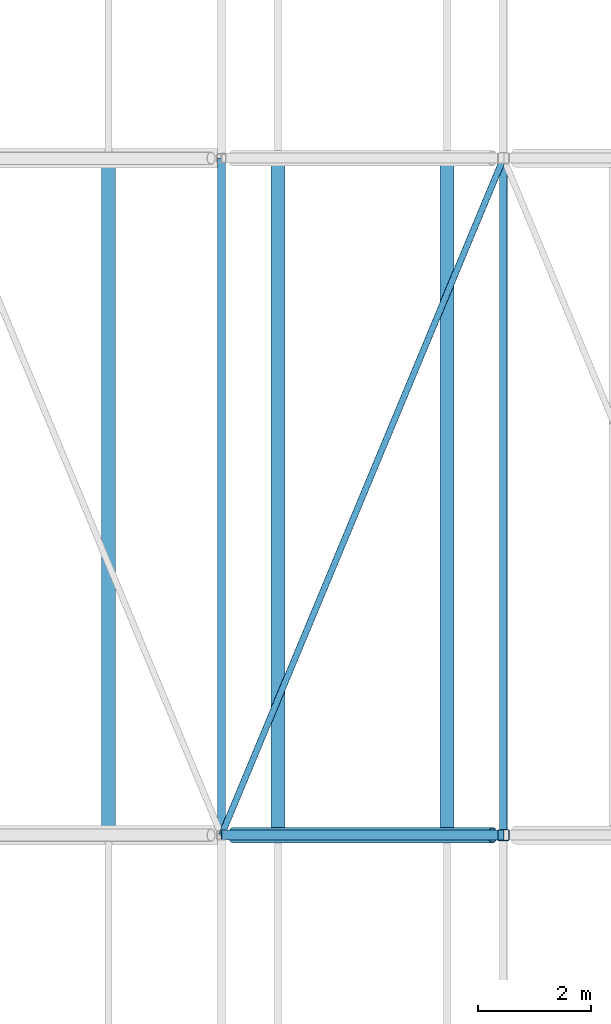
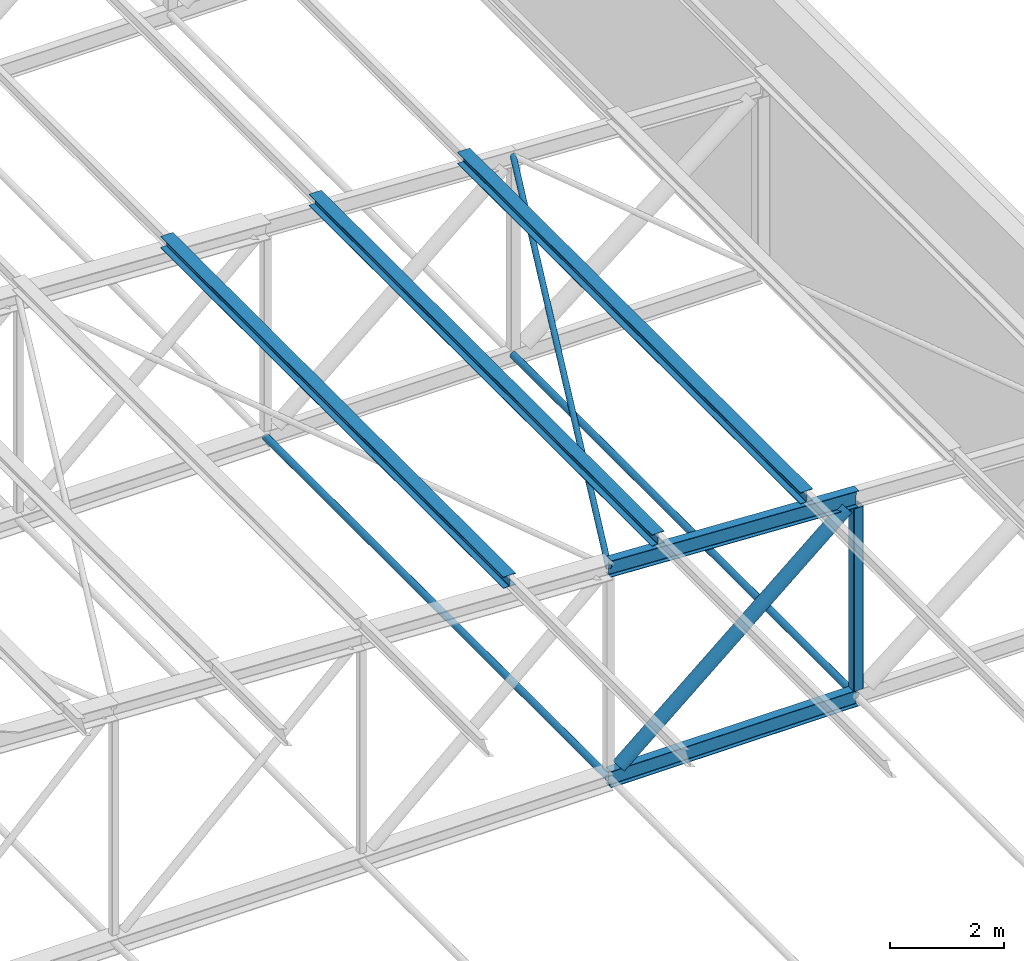
# One storey, part 47 of 156: 10 members.
"""IFC4 building model written with IfcOpenShell, lengths in metres."""

from ifc_helpers import new_model, si_unit, direction, frame, origin, origin_2d, place, context, subcontext, project, spatial, hollow_rectangle, hollow_circle, i_section, extrude, material, material_profile, profile_set, type_object, element, save


model = new_model("IFC4")

# Units and contexts
model_context = context("Model", 3, precision=1e-05, world=origin(), true_north=direction((0.0, 1.0)))
body_context = subcontext(model_context, "Body", "Model", "MODEL_VIEW")
ifc_project = project(units=[si_unit("LENGTHUNIT", "METRE"), si_unit("AREAUNIT", "SQUARE_METRE"), si_unit("VOLUMEUNIT", "CUBIC_METRE"), si_unit("PLANEANGLEUNIT", "RADIAN"), si_unit("MASSUNIT", "GRAM", prefix="KILO")], contexts=[model_context])

# Site, building, storey
site_placement = place(None, origin())
site = spatial("IfcSite", under=ifc_project, at=site_placement, CompositionType="ELEMENT")
building_placement = place(site_placement, origin())
building = spatial("IfcBuilding", under=site, at=building_placement, Name="Lilac Gate Convention Centre", CompositionType="ELEMENT")
storey_placement = place(building_placement, frame((0.0, 0.0, 17.0)))
storey = spatial("IfcBuildingStorey", under=building, at=storey_placement, Name="L03", CompositionType="ELEMENT", Elevation=17.0)

# Members
ifc_material = material(Name="Steel Q355B", Category="steel")
ifc_material_profile_1 = material_profile(ifc_material, hollow_circle(Radius=0.06982421875, WallThickness=0.0048828125, at=origin_2d()), Name="CHS139.7x5")
ifc_profile_set_1 = profile_set([ifc_material_profile_1], Name="Steel Q355B")
member_type_1 = type_object("IfcMemberType", Name="Bottom chord tie CHS139.7x5", PredefinedType="STRUT", material=ifc_profile_set_1)
for number, where, z_axis, x_axis, name in (
    (1, (80.0, 78.00341796875, 0.0), (0.0, 1.0, 0.0), (-1.0, 0.0, 0.0), "ST1 tie bay 5 node 11"),
    (2, (85.0, 78.00341796875, 0.0), (0.0, 1.0, 0.0), (-1.0, 0.0, 0.0), "ST1 tie bay 5 node 12"),
):
    element("IfcMember", number, at=place(storey_placement, frame(where, z_axis=z_axis, x_axis=x_axis)), inside=storey, type_object=member_type_1, Name=name, PredefinedType="STRUT", context=body_context, shape_type="SweptSolid", body=[
        extrude(hollow_circle(Radius=0.06982421875, WallThickness=0.0048828125, at=origin_2d()), origin(), (0.0, 0.0, 1.0), 11.9931640625),
    ])
ifc_material_profile_2 = material_profile(ifc_material, hollow_circle(Radius=0.05712890625, WallThickness=0.0048828125, at=origin_2d()), Name="CHS114.3x5")
ifc_profile_set_2 = profile_set([ifc_material_profile_2], Name="Steel Q355B")
member_type_2 = type_object("IfcMemberType", Name="Roof plane bracing CHS114.3x5", PredefinedType="BRACE", material=ifc_profile_set_2)
member_1_placement = place(storey_placement, frame((80.00146484375, 78.00341796875, 4.5), z_axis=(0.384538867181, 0.922908311091, -0.019238215751), x_axis=(-0.923079146825, 0.384610047578, 0.0)))
element("IfcMember", 3, at=member_1_placement, inside=storey, type_object=member_type_2, Name="BR1 plan bracing bay 5 panel 11", PredefinedType="BRACE", context=body_context, shape_type="SweptSolid", body=[
    extrude(hollow_circle(Radius=0.05712890625, WallThickness=0.0048828125, at=origin_2d()), origin(), (0.0, 0.0, 1.0), 12.994873046875),
])
ifc_material_profile_3 = material_profile(ifc_material, i_section(OverallWidth=0.25, OverallDepth=0.25, WebThickness=0.009033203125, FlangeThickness=0.013916015625, FilletRadius=0.012939453125, at=origin_2d()), Name="HW250x250x9x14")
ifc_profile_set_3 = profile_set([ifc_material_profile_3], Name="Steel Q355B")
member_type_3 = type_object("IfcMemberType", Name="Roof purlin HW250x250x9x14", PredefinedType="PURLIN", material=ifc_profile_set_3)
for number, where, z_axis, x_axis, name in (
    (4, (78.0, 78.0, 4.900146484375), (0.0, 1.0, 0.0), (-1.0, 0.0, 0.0), "PU1 purlin bay 5 line 17"),
    (5, (81.0, 78.0, 4.750244140625), (0.0, 1.0, 0.0), (-1.0, 0.0, 0.0), "PU1 purlin bay 5 line 18"),
    (6, (84.0, 78.0, 4.60009765625), (0.0, 1.0, 0.0), (-1.0, 0.0, 0.0), "PU1 purlin bay 5 line 19"),
):
    element("IfcMember", number, at=place(storey_placement, frame(where, z_axis=z_axis, x_axis=x_axis)), inside=storey, type_object=member_type_3, Name=name, PredefinedType="PURLIN", context=body_context, shape_type="SweptSolid", body=[
        extrude(i_section(OverallWidth=0.25, OverallDepth=0.25, WebThickness=0.009033203125, FlangeThickness=0.013916015625, FilletRadius=0.012939453125, at=origin_2d()), origin(), (0.0, 0.0, 1.0), 12.0),
    ])
ifc_material_profile_4 = material_profile(ifc_material, i_section(OverallWidth=0.175048828125, OverallDepth=0.35009765625, WebThickness=0.007080078125, FlangeThickness=0.010986328125, FilletRadius=0.012939453125, at=origin_2d()), Name="HN350x175x7x11")
ifc_profile_set_4 = profile_set([ifc_material_profile_4], Name="Steel Q355B")
member_type_4 = type_object("IfcMemberType", Name="Truss bottom chord HN350x175x7x11", PredefinedType="CHORD", material=ifc_profile_set_4)
member_2_placement = place(storey_placement, frame((80.0, 78.0, 0.0), z_axis=(1.0, 0.0, 0.0), x_axis=(0.0, 1.0, 0.0)))
element("IfcMember", 7, at=member_2_placement, inside=storey, type_object=member_type_4, Name="TB1 truss 5 bottom chord 11", PredefinedType="CHORD", context=body_context, shape_type="SweptSolid", body=[
    extrude(i_section(OverallWidth=0.175048828125, OverallDepth=0.35009765625, WebThickness=0.007080078125, FlangeThickness=0.010986328125, FilletRadius=0.012939453125, at=origin_2d()), origin(), (0.0, 0.0, 1.0), 5.0),
])
ifc_material_profile_5 = material_profile(ifc_material, hollow_circle(Radius=0.136474609375, WallThickness=0.010009765625, at=origin_2d()), Name="CHS273x10")
ifc_profile_set_5 = profile_set([ifc_material_profile_5], Name="Steel Q355B")
member_type_5 = type_object("IfcMemberType", Name="Truss diagonal CHS273x10", PredefinedType="BRACE", material=ifc_profile_set_5)
member_3_placement = place(storey_placement, frame((84.806884765625, 78.0, 4.085693359375), z_axis=(-0.761961263863, 0.0, -0.647622600263), x_axis=(0.0, -1.0, 0.0)))
element("IfcMember", 8, at=member_3_placement, inside=storey, type_object=member_type_5, Name="TW2 truss 5 diagonal 11", PredefinedType="BRACE", context=body_context, shape_type="SweptSolid", body=[
    extrude(hollow_circle(Radius=0.136474609375, WallThickness=0.010009765625, at=origin_2d()), origin(), (0.0, 0.0, 1.0), 6.03857421875),
])
ifc_material_profile_6 = material_profile(ifc_material, i_section(OverallWidth=0.175048828125, OverallDepth=0.35009765625, WebThickness=0.007080078125, FlangeThickness=0.010986328125, FilletRadius=0.012939453125, at=origin_2d()), Name="HN350x175x7x11")
ifc_profile_set_6 = profile_set([ifc_material_profile_6], Name="Steel Q355B")
member_type_6 = type_object("IfcMemberType", Name="Truss top chord HN350x175x7x11", PredefinedType="CHORD", material=ifc_profile_set_6)
member_4_placement = place(storey_placement, frame((80.0, 78.0, 4.5), z_axis=(0.998752338878, 0.0, -0.049937616944), x_axis=(0.0, 1.0, 0.0)))
element("IfcMember", 9, at=member_4_placement, inside=storey, type_object=member_type_6, Name="TT1 truss 5 top chord 11", PredefinedType="CHORD", context=body_context, shape_type="SweptSolid", body=[
    extrude(i_section(OverallWidth=0.175048828125, OverallDepth=0.35009765625, WebThickness=0.007080078125, FlangeThickness=0.010986328125, FilletRadius=0.012939453125, at=origin_2d()), origin(), (0.0, 0.0, 1.0), 5.00634765625),
])
ifc_material_profile_7 = material_profile(ifc_material, hollow_rectangle(XDim=0.199951171875, YDim=0.199951171875, WallThickness=0.008056640625, InnerFilletRadius=0.011962890625, OuterFilletRadius=0.02001953125, at=origin_2d()), Name="SHS200x200x8")
ifc_profile_set_7 = profile_set([ifc_material_profile_7], Name="Steel Q355B")
member_type_7 = type_object("IfcMemberType", Name="Truss vertical SHS200x200x8", PredefinedType="STRUT", material=ifc_profile_set_7)
member_5_placement = place(storey_placement, frame((85.0, 78.0, 0.175048828125), z_axis=(0.0, 0.0, 1.0), x_axis=(1.0, 0.0, 0.0)))
element("IfcMember", 10, at=member_5_placement, inside=storey, type_object=member_type_7, Name="TV2 truss 5 vertical 12", PredefinedType="STRUT", context=body_context, shape_type="SweptSolid", body=[
    extrude(hollow_rectangle(XDim=0.199951171875, YDim=0.199951171875, WallThickness=0.008056640625, InnerFilletRadius=0.011962890625, OuterFilletRadius=0.02001953125, at=origin_2d()), origin(), (0.0, 0.0, 1.0), 3.899658203125),
])

save(model, "model.ifc")
